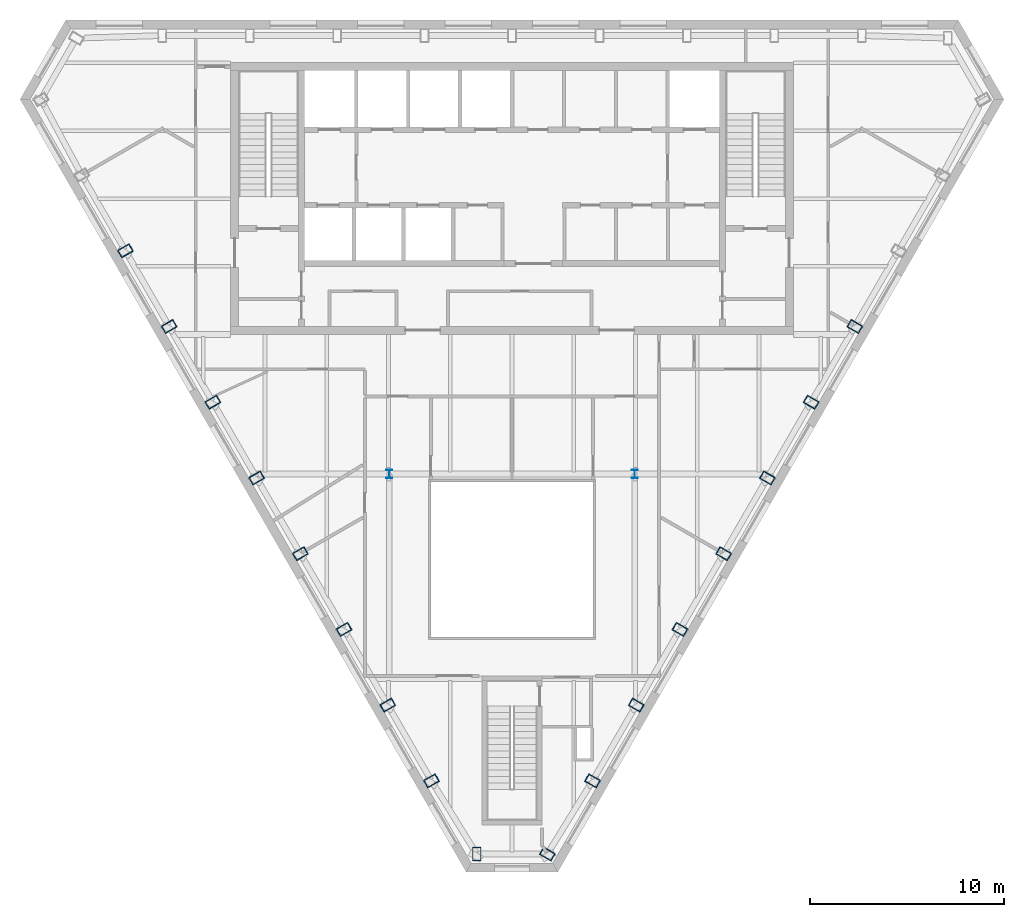
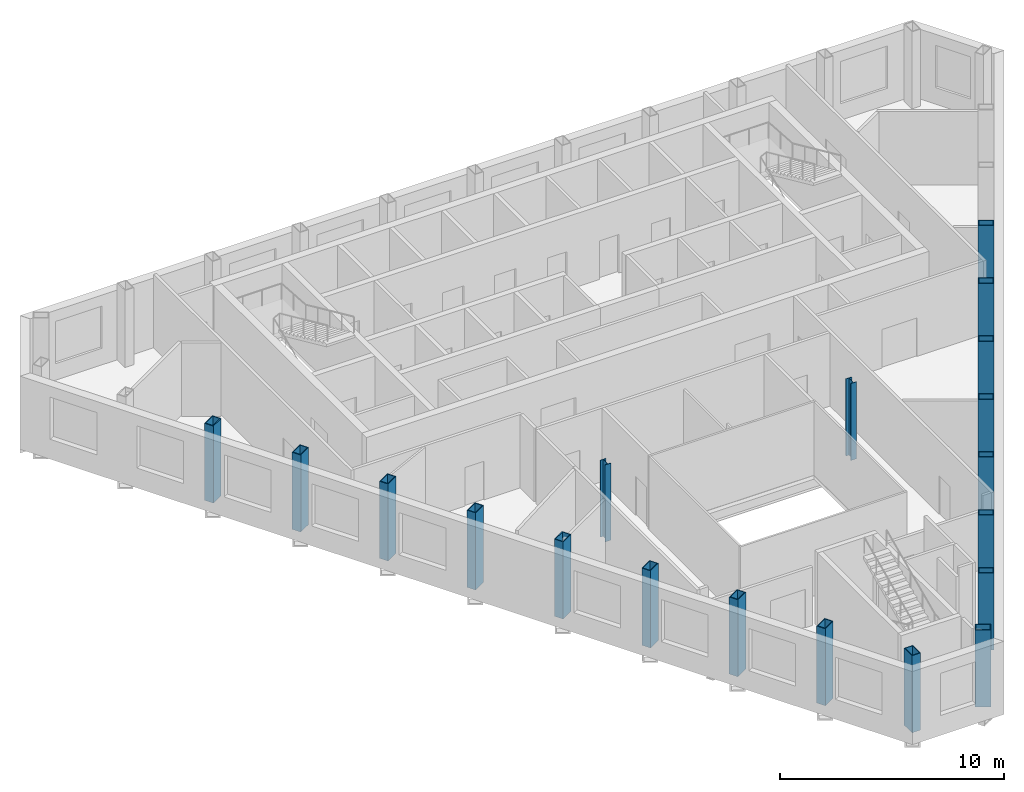
# One storey, part 1 of 10: 19 columns.
"""IFC4 building model written with IfcOpenShell, lengths in metres."""

from ifc_helpers import new_model, si_unit, direction, frame, origin, origin_2d, place, context, subcontext, project, spatial, hollow_rectangle, i_section, extrude, material, material_profile, profile_set, type_object, element, save


model = new_model("IFC4")

# Units and contexts
model_context = context("Model", 3, precision=1e-05, world=origin(), true_north=direction((0.0, 1.0)))
body_context = subcontext(model_context, "Body", "Model", "MODEL_VIEW")
ifc_project = project(units=[si_unit("LENGTHUNIT", "METRE"), si_unit("AREAUNIT", "SQUARE_METRE"), si_unit("VOLUMEUNIT", "CUBIC_METRE"), si_unit("PLANEANGLEUNIT", "RADIAN"), si_unit("MASSUNIT", "GRAM", prefix="KILO")], contexts=[model_context])

# Site, building, storey
site_placement = place(None, origin())
site = spatial("IfcSite", under=ifc_project, at=site_placement, CompositionType="ELEMENT")
building_placement = place(site_placement, origin())
building = spatial("IfcBuilding", under=site, at=building_placement, Name="Njiva Tower", CompositionType="ELEMENT")
storey_placement = place(building_placement, frame((0.0, 0.0, 304.2)))
storey = spatial("IfcBuildingStorey", under=building, at=storey_placement, Name="L69", CompositionType="ELEMENT", Elevation=304.2)

# Columns
ifc_material = material(Name="Steel S355 J2", Category="steel")
ifc_material_profile_1 = material_profile(ifc_material, hollow_rectangle(XDim=0.45, YDim=0.7, WallThickness=0.04, at=origin_2d()), Name="BOX 700x450x40")
ifc_profile_set_1 = profile_set([ifc_material_profile_1], Name="Steel S355 J2")
column_type_1 = type_object("IfcColumnType", Name="C15 Perimeter tube column BOX 700x450x40", PredefinedType="COLUMN", material=ifc_profile_set_1)
for number, where, z_axis, x_axis, name in (
    (1, (-19.925, 8.307, 0.0), (0.0, 0.0, 1.0), (0.5, -0.866025403784, 0.0), "Perimeter tube column S23-C14"),
    (2, (-17.671, 4.404, 0.0), (0.0, 0.0, 1.0), (0.5, -0.866025403784, 0.0), "Perimeter tube column S23-C15"),
    (3, (-15.418, 0.501, 0.0), (0.0, 0.0, 1.0), (0.5, -0.866025403784, 0.0), "Perimeter tube column S23-C16"),
    (4, (-13.165, -3.402, 0.0), (0.0, 0.0, 1.0), (0.5, -0.866025403784, 0.0), "Perimeter tube column S23-C17"),
    (5, (-10.911, -7.305, 0.0), (0.0, 0.0, 1.0), (0.5, -0.866025403784, 0.0), "Perimeter tube column S23-C18"),
    (6, (-8.658, -11.208, 0.0), (0.0, 0.0, 1.0), (0.5, -0.866025403784, 0.0), "Perimeter tube column S23-C19"),
    (7, (-6.405, -15.11, 0.0), (0.0, 0.0, 1.0), (0.5, -0.866025403784, 0.0), "Perimeter tube column S23-C20"),
    (8, (-4.151, -19.013, 0.0), (0.0, 0.0, 1.0), (0.5, -0.866025403784, 0.0), "Perimeter tube column S23-C21"),
    (9, (-1.821, -22.783, 0.0), (0.0, 0.0, 1.0), (1.0, 0.0, 0.0), "Perimeter tube column S23-C22"),
    (10, (1.821, -22.783, 0.0), (0.0, 0.0, 1.0), (0.5, 0.866025403784, 0.0), "Perimeter tube column S23-C23"),
    (11, (4.151, -19.013, 0.0), (0.0, 0.0, 1.0), (0.5, 0.866025403784, 0.0), "Perimeter tube column S23-C24"),
    (12, (6.405, -15.11, 0.0), (0.0, 0.0, 1.0), (0.5, 0.866025403784, 0.0), "Perimeter tube column S23-C25"),
    (13, (8.658, -11.208, 0.0), (0.0, 0.0, 1.0), (0.5, 0.866025403784, 0.0), "Perimeter tube column S23-C26"),
    (14, (10.911, -7.305, 0.0), (0.0, 0.0, 1.0), (0.5, 0.866025403784, 0.0), "Perimeter tube column S23-C27"),
    (15, (13.165, -3.402, 0.0), (0.0, 0.0, 1.0), (0.5, 0.866025403784, 0.0), "Perimeter tube column S23-C28"),
    (16, (15.418, 0.501, 0.0), (0.0, 0.0, 1.0), (0.5, 0.866025403784, 0.0), "Perimeter tube column S23-C29"),
    (17, (17.671, 4.404, 0.0), (0.0, 0.0, 1.0), (0.5, 0.866025403784, 0.0), "Perimeter tube column S23-C30"),
):
    element("IfcColumn", number, at=place(storey_placement, frame(where, z_axis=z_axis, x_axis=x_axis)), inside=storey, type_object=column_type_1, Name=name, PredefinedType="COLUMN", context=body_context, shape_type="SweptSolid", body=[
        extrude(hollow_rectangle(XDim=0.45, YDim=0.7, WallThickness=0.04, at=origin_2d()), origin(), (0.0, 0.0, 1.0), 4.2),
    ])
ifc_material_profile_2 = material_profile(ifc_material, i_section(OverallWidth=0.3, OverallDepth=0.45, WebThickness=0.014, FlangeThickness=0.026, at=origin_2d()), Name="HEB 450")
ifc_profile_set_2 = profile_set([ifc_material_profile_2], Name="Steel S355 J2")
column_type_2 = type_object("IfcColumnType", Name="C16 Interior column HEB 450", PredefinedType="COLUMN", material=ifc_profile_set_2)
for number, where, z_axis, x_axis, name in (
    (18, (6.33, -3.2, 0.0), (0.0, 0.0, 1.0), (1.0, 0.0, 0.0), "Interior column S23-C34"),
    (19, (-6.33, -3.2, 0.0), (0.0, 0.0, 1.0), (1.0, 0.0, 0.0), "Interior column S23-C35"),
):
    element("IfcColumn", number, at=place(storey_placement, frame(where, z_axis=z_axis, x_axis=x_axis)), inside=storey, type_object=column_type_2, Name=name, PredefinedType="COLUMN", context=body_context, shape_type="SweptSolid", body=[
        extrude(i_section(OverallWidth=0.3, OverallDepth=0.45, WebThickness=0.014, FlangeThickness=0.026, at=origin_2d()), origin(), (0.0, 0.0, 1.0), 4.2),
    ])

save(model, "model.ifc")
